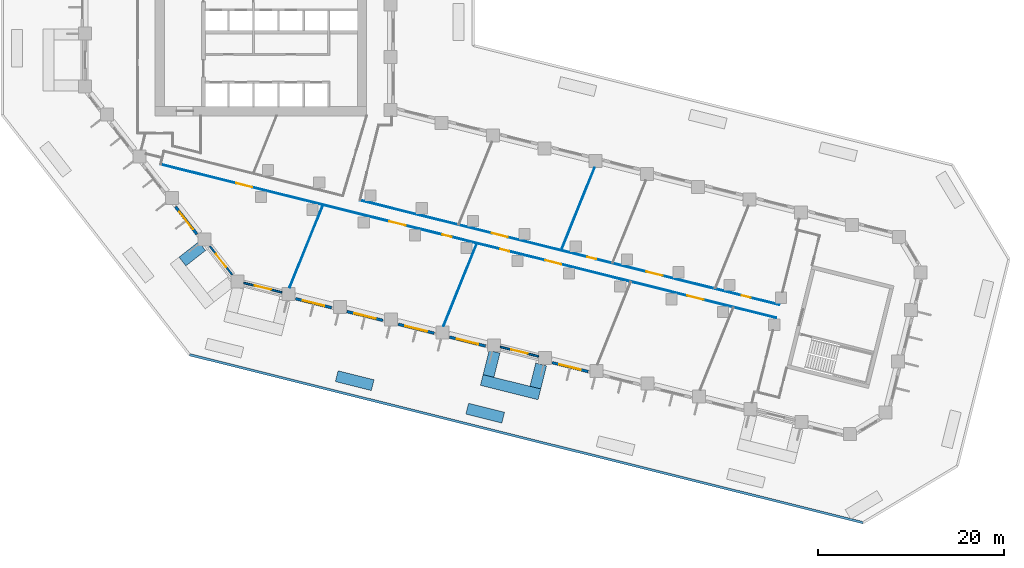
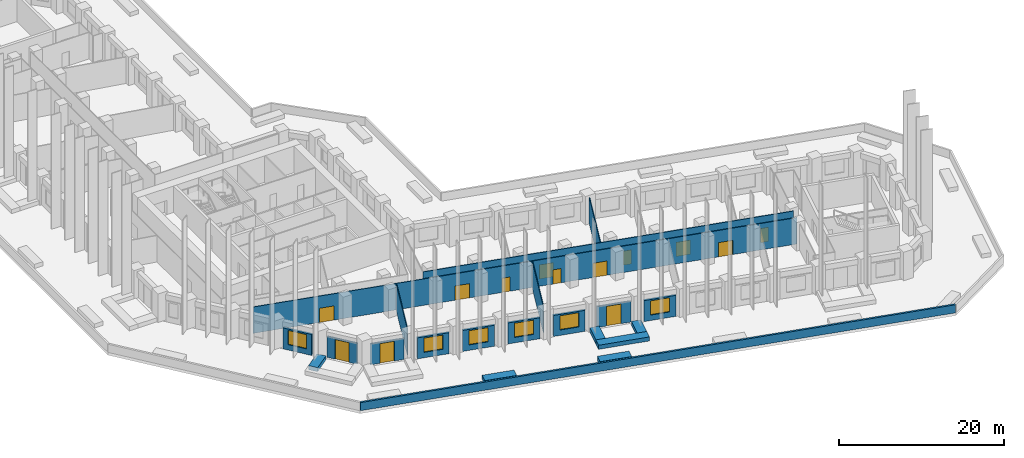
# One storey, part 3 of 13: 21 walls, 13 doors, 6 windows, 19 openings.
"""IFC4 building model written with IfcOpenShell, lengths in metres."""

from ifc_helpers import new_model, si_unit, direction, frame, frame_2d, origin, place, context, subcontext, project, spatial, rectangle, extrude, material, layer, layer_set, type_object, element, fill, save


model = new_model("IFC4")

# Units and contexts
model_context = context("Model", 3, precision=1e-05, world=origin(), true_north=direction((0.0, 1.0)))
body_context = subcontext(model_context, "Body", "Model", "MODEL_VIEW")
ifc_project = project(units=[si_unit("LENGTHUNIT", "METRE"), si_unit("AREAUNIT", "SQUARE_METRE"), si_unit("VOLUMEUNIT", "CUBIC_METRE"), si_unit("PLANEANGLEUNIT", "RADIAN"), si_unit("MASSUNIT", "GRAM", prefix="KILO")], contexts=[model_context])

# Site, building, storey
site_placement = place(None, origin())
site = spatial("IfcSite", under=ifc_project, at=site_placement, CompositionType="ELEMENT")
building_placement = place(site_placement, origin())
building = spatial("IfcBuilding", under=site, at=building_placement, Name="Meshkara Civic Tower", CompositionType="ELEMENT")
storey_placement = place(building_placement, frame((0.0, 0.0, 33.0)))
storey = spatial("IfcBuildingStorey", under=building, at=storey_placement, Name="L06", CompositionType="ELEMENT", Elevation=33.0)

# Wall, openings, doors
ifc_material_1 = material(Name="Corridor wall 100")
ifc_layer_1 = layer(ifc_material_1, 0.10009765625)
ifc_layer_set_1 = layer_set([ifc_layer_1], Name="Corridor wall 100")
wall_type_1 = type_object("IfcWallType", Name="Corridor wall 100", PredefinedType="PARTITIONING", material=ifc_layer_set_1)
wall_1_placement = place(storey_placement, frame((8.593994140625, 8.862060546875, 0.0), z_axis=(0.0, 0.0, 1.0), x_axis=(0.970293746648, -0.241929835316, 0.0)))
wall_1 = element("IfcWall", 1, at=wall_1_placement, inside=storey, type_object=wall_type_1, Name="L06-W006", PredefinedType="PARTITIONING", context=body_context, shape_type="SweptSolid", body=[
    extrude(rectangle(XDim=68.375244140625, YDim=0.10009765625, at=frame_2d((34.1875, 0.0))), origin(), (0.0, 0.0, 1.0), 3.89990234375),
])
opening_1_placement = place(wall_1_placement, frame((37.7080078125, 0.0, 0.0)))
opening_1 = element("IfcOpeningElement", 2, at=opening_1_placement, cuts=wall_1, Name="Opening L06-D003", PredefinedType="OPENING", context=body_context, shape_type="SweptSolid", body=[
    extrude(rectangle(XDim=1.0, YDim=2.10009765625, at=frame_2d((0.5, 1.050048828125))), frame((0.0, 0.06005859375, 0.0), z_axis=(0.0, -1.0, 0.0), x_axis=(1.0, 0.0, 0.0)), (0.0, 0.0, 1.0), 0.1201171875),
])
opening_2_placement = place(wall_1_placement, frame((42.7080078125, 0.0, 0.0)))
opening_2 = element("IfcOpeningElement", 3, at=opening_2_placement, cuts=wall_1, Name="Opening L06-D004", PredefinedType="OPENING", context=body_context, shape_type="SweptSolid", body=[
    extrude(rectangle(XDim=1.800048828125, YDim=2.10009765625, at=frame_2d((0.89990234375, 1.050048828125))), frame((0.0, 0.06005859375, 0.0), z_axis=(0.0, -1.0, 0.0), x_axis=(1.0, 0.0, 0.0)), (0.0, 0.0, 1.0), 0.1201171875),
])
opening_3_placement = place(wall_1_placement, frame((58.508056640625, 0.0, 0.0)))
opening_3 = element("IfcOpeningElement", 4, at=opening_3_placement, cuts=wall_1, Name="Opening L06-D007", PredefinedType="OPENING", context=body_context, shape_type="SweptSolid", body=[
    extrude(rectangle(XDim=1.800048828125, YDim=2.10009765625, at=frame_2d((0.89990234375, 1.050048828125))), frame((0.0, 0.06005859375, 0.0), z_axis=(0.0, -1.0, 0.0), x_axis=(1.0, 0.0, 0.0)), (0.0, 0.0, 1.0), 0.1201171875),
])
opening_4_placement = place(wall_1_placement, frame((25.407958984375, 0.0, 0.0)))
opening_4 = element("IfcOpeningElement", 5, at=opening_4_placement, cuts=wall_1, Name="Opening L06-D010", PredefinedType="OPENING", context=body_context, shape_type="SweptSolid", body=[
    extrude(rectangle(XDim=1.800048828125, YDim=2.10009765625, at=frame_2d((0.89990234375, 1.050048828125))), frame((0.0, 0.06005859375, 0.0), z_axis=(0.0, -1.0, 0.0), x_axis=(1.0, 0.0, 0.0)), (0.0, 0.0, 1.0), 0.1201171875),
])
opening_5_placement = place(wall_1_placement, frame((31.30810546875, 0.0, 0.0)))
opening_5 = element("IfcOpeningElement", 6, at=opening_5_placement, cuts=wall_1, Name="Opening L06-D011", PredefinedType="OPENING", context=body_context, shape_type="SweptSolid", body=[
    extrude(rectangle(XDim=1.0, YDim=2.10009765625, at=frame_2d((0.5, 1.050048828125))), frame((0.0, 0.06005859375, 0.0), z_axis=(0.0, -1.0, 0.0), x_axis=(1.0, 0.0, 0.0)), (0.0, 0.0, 1.0), 0.1201171875),
])
opening_6_placement = place(wall_1_placement, frame((8.3798828125, 0.0, 0.0)))
opening_6 = element("IfcOpeningElement", 7, at=opening_6_placement, cuts=wall_1, Name="Opening L06-D013", PredefinedType="OPENING", context=body_context, shape_type="SweptSolid", body=[
    extrude(rectangle(XDim=1.800048828125, YDim=2.10009765625, at=frame_2d((0.89990234375, 1.050048828125))), frame((0.0, 0.06005859375, 0.0), z_axis=(0.0, -1.0, 0.0), x_axis=(1.0, 0.0, 0.0)), (0.0, 0.0, 1.0), 0.1201171875),
])
ifc_material_2 = material(Name="Door 1000 x 2100")
door_type_1 = type_object("IfcDoorType", Name="Door 1000 x 2100", OperationType="SINGLE_SWING_LEFT", PredefinedType="DOOR", material=ifc_material_2)
door_1_placement = place(opening_1_placement, origin())
door_1 = element("IfcDoor", 8, at=door_1_placement, inside=storey, type_object=door_type_1, Name="L06-D003", OperationType="SINGLE_SWING_RIGHT", OverallHeight=2.10009765625, OverallWidth=1.0, PredefinedType="DOOR", context=body_context, shape_type="SweptSolid", body=[
    extrude(rectangle(XDim=1.0, YDim=2.10009765625, at=frame_2d((0.5, 1.050048828125))), frame((0.0, 0.02490234375, 0.0), z_axis=(0.0, -1.0, 0.0), x_axis=(1.0, 0.0, 0.0)), (0.0, 0.0, 1.0), 0.050048828125),
])
fill(opening_1, door_1)
door_2_placement = place(opening_5_placement, origin())
door_2 = element("IfcDoor", 9, at=door_2_placement, inside=storey, type_object=door_type_1, Name="L06-D011", OperationType="SINGLE_SWING_LEFT", OverallHeight=2.10009765625, OverallWidth=1.0, PredefinedType="DOOR", context=body_context, shape_type="SweptSolid", body=[
    extrude(rectangle(XDim=1.0, YDim=2.10009765625, at=frame_2d((0.5, 1.050048828125))), frame((0.0, 0.02490234375, 0.0), z_axis=(0.0, -1.0, 0.0), x_axis=(1.0, 0.0, 0.0)), (0.0, 0.0, 1.0), 0.050048828125),
])
fill(opening_5, door_2)
ifc_material_3 = material(Name="Door pair 1800 x 2100")
door_type_2 = type_object("IfcDoorType", Name="Door pair 1800 x 2100", OperationType="SINGLE_SWING_LEFT", PredefinedType="DOOR", material=ifc_material_3)
door_3_placement = place(opening_2_placement, origin())
door_3 = element("IfcDoor", 10, at=door_3_placement, inside=storey, type_object=door_type_2, Name="L06-D004", OperationType="DOUBLE_DOOR_SINGLE_SWING", OverallHeight=2.10009765625, OverallWidth=1.800048828125, PredefinedType="DOOR", context=body_context, shape_type="SweptSolid", body=[
    extrude(rectangle(XDim=1.800048828125, YDim=2.10009765625, at=frame_2d((0.89990234375, 1.050048828125))), frame((0.0, 0.02490234375, 0.0), z_axis=(0.0, -1.0, 0.0), x_axis=(1.0, 0.0, 0.0)), (0.0, 0.0, 1.0), 0.050048828125),
])
fill(opening_2, door_3)
door_4_placement = place(opening_3_placement, origin())
door_4 = element("IfcDoor", 11, at=door_4_placement, inside=storey, type_object=door_type_2, Name="L06-D007", OperationType="DOUBLE_DOOR_SINGLE_SWING", OverallHeight=2.10009765625, OverallWidth=1.800048828125, PredefinedType="DOOR", context=body_context, shape_type="SweptSolid", body=[
    extrude(rectangle(XDim=1.800048828125, YDim=2.10009765625, at=frame_2d((0.89990234375, 1.050048828125))), frame((0.0, 0.02490234375, 0.0), z_axis=(0.0, -1.0, 0.0), x_axis=(1.0, 0.0, 0.0)), (0.0, 0.0, 1.0), 0.050048828125),
])
fill(opening_3, door_4)
door_5_placement = place(opening_4_placement, origin())
door_5 = element("IfcDoor", 12, at=door_5_placement, inside=storey, type_object=door_type_2, Name="L06-D010", OperationType="DOUBLE_DOOR_SINGLE_SWING", OverallHeight=2.10009765625, OverallWidth=1.800048828125, PredefinedType="DOOR", context=body_context, shape_type="SweptSolid", body=[
    extrude(rectangle(XDim=1.800048828125, YDim=2.10009765625, at=frame_2d((0.89990234375, 1.050048828125))), frame((0.0, 0.02490234375, 0.0), z_axis=(0.0, -1.0, 0.0), x_axis=(1.0, 0.0, 0.0)), (0.0, 0.0, 1.0), 0.050048828125),
])
fill(opening_4, door_5)
door_6_placement = place(opening_6_placement, origin())
door_6 = element("IfcDoor", 13, at=door_6_placement, inside=storey, type_object=door_type_2, Name="L06-D013", OperationType="DOUBLE_DOOR_SINGLE_SWING", OverallHeight=2.10009765625, OverallWidth=1.800048828125, PredefinedType="DOOR", context=body_context, shape_type="SweptSolid", body=[
    extrude(rectangle(XDim=1.800048828125, YDim=2.10009765625, at=frame_2d((0.89990234375, 1.050048828125))), frame((0.0, 0.02490234375, 0.0), z_axis=(0.0, -1.0, 0.0), x_axis=(1.0, 0.0, 0.0)), (0.0, 0.0, 1.0), 0.050048828125),
])
fill(opening_6, door_6)

wall_2_placement = place(storey_placement, frame((30.075927734375, 4.9951171875, 0.0), z_axis=(0.0, 0.0, 1.0), x_axis=(0.97029302478, -0.24193273045, 0.0)))
wall_2 = element("IfcWall", 14, at=wall_2_placement, inside=storey, type_object=wall_type_1, Name="L06-W020", PredefinedType="PARTITIONING", context=body_context, shape_type="SweptSolid", body=[
    extrude(rectangle(XDim=46.596435546875, YDim=0.10009765625, at=frame_2d((23.29833984375, 0.0))), origin(), (0.0, 0.0, 1.0), 3.89990234375),
])
opening_7_placement = place(wall_2_placement, frame((25.22900390625, 0.0, 0.0)))
opening_7 = element("IfcOpeningElement", 15, at=opening_7_placement, cuts=wall_2, Name="Opening L06-D005", PredefinedType="OPENING", context=body_context, shape_type="SweptSolid", body=[
    extrude(rectangle(XDim=1.0, YDim=2.10009765625, at=frame_2d((0.5, 1.050048828125))), frame((0.0, 0.06005859375, 0.0), z_axis=(0.0, -1.0, 0.0), x_axis=(1.0, 0.0, 0.0)), (0.0, 0.0, 1.0), 0.1201171875),
])
opening_8_placement = place(wall_2_placement, frame((31.827880859375, 0.0, 0.0)))
opening_8 = element("IfcOpeningElement", 16, at=opening_8_placement, cuts=wall_2, Name="Opening L06-D006", PredefinedType="OPENING", context=body_context, shape_type="SweptSolid", body=[
    extrude(rectangle(XDim=1.800048828125, YDim=2.10009765625, at=frame_2d((0.89990234375, 1.050048828125))), frame((0.0, 0.06005859375, 0.0), z_axis=(0.0, -1.0, 0.0), x_axis=(1.0, 0.0, 0.0)), (0.0, 0.0, 1.0), 0.1201171875),
])
opening_9_placement = place(wall_2_placement, frame((42.428955078125, 0.0, 0.0)))
opening_9 = element("IfcOpeningElement", 17, at=opening_9_placement, cuts=wall_2, Name="Opening L06-D008", PredefinedType="OPENING", context=body_context, shape_type="SweptSolid", body=[
    extrude(rectangle(XDim=1.0, YDim=2.10009765625, at=frame_2d((0.5, 1.050048828125))), frame((0.0, 0.06005859375, 0.0), z_axis=(0.0, -1.0, 0.0), x_axis=(1.0, 0.0, 0.0)), (0.0, 0.0, 1.0), 0.1201171875),
])
opening_10_placement = place(wall_2_placement, frame((14.62890625, 0.0, 0.0)))
opening_10 = element("IfcOpeningElement", 18, at=opening_10_placement, cuts=wall_2, Name="Opening L06-D012", PredefinedType="OPENING", context=body_context, shape_type="SweptSolid", body=[
    extrude(rectangle(XDim=1.800048828125, YDim=2.10009765625, at=frame_2d((0.89990234375, 1.050048828125))), frame((0.0, 0.06005859375, 0.0), z_axis=(0.0, -1.0, 0.0), x_axis=(1.0, 0.0, 0.0)), (0.0, 0.0, 1.0), 0.1201171875),
])
door_7_placement = place(opening_7_placement, origin())
door_7 = element("IfcDoor", 19, at=door_7_placement, inside=storey, type_object=door_type_1, Name="L06-D005", OperationType="SINGLE_SWING_RIGHT", OverallHeight=2.10009765625, OverallWidth=1.0, PredefinedType="DOOR", context=body_context, shape_type="SweptSolid", body=[
    extrude(rectangle(XDim=1.0, YDim=2.10009765625, at=frame_2d((0.5, 1.050048828125))), frame((0.0, 0.02490234375, 0.0), z_axis=(0.0, -1.0, 0.0), x_axis=(1.0, 0.0, 0.0)), (0.0, 0.0, 1.0), 0.050048828125),
])
fill(opening_7, door_7)
door_8_placement = place(opening_9_placement, origin())
door_8 = element("IfcDoor", 20, at=door_8_placement, inside=storey, type_object=door_type_1, Name="L06-D008", OperationType="SINGLE_SWING_LEFT", OverallHeight=2.10009765625, OverallWidth=1.0, PredefinedType="DOOR", context=body_context, shape_type="SweptSolid", body=[
    extrude(rectangle(XDim=1.0, YDim=2.10009765625, at=frame_2d((0.5, 1.050048828125))), frame((0.0, 0.02490234375, 0.0), z_axis=(0.0, -1.0, 0.0), x_axis=(1.0, 0.0, 0.0)), (0.0, 0.0, 1.0), 0.050048828125),
])
fill(opening_9, door_8)
door_9_placement = place(opening_8_placement, origin())
door_9 = element("IfcDoor", 21, at=door_9_placement, inside=storey, type_object=door_type_2, Name="L06-D006", OperationType="DOUBLE_DOOR_SINGLE_SWING", OverallHeight=2.10009765625, OverallWidth=1.800048828125, PredefinedType="DOOR", context=body_context, shape_type="SweptSolid", body=[
    extrude(rectangle(XDim=1.800048828125, YDim=2.10009765625, at=frame_2d((0.89990234375, 1.050048828125))), frame((0.0, 0.02490234375, 0.0), z_axis=(0.0, -1.0, 0.0), x_axis=(1.0, 0.0, 0.0)), (0.0, 0.0, 1.0), 0.050048828125),
])
fill(opening_8, door_9)
door_10_placement = place(opening_10_placement, origin())
door_10 = element("IfcDoor", 22, at=door_10_placement, inside=storey, type_object=door_type_2, Name="L06-D012", OperationType="DOUBLE_DOOR_SINGLE_SWING", OverallHeight=2.10009765625, OverallWidth=1.800048828125, PredefinedType="DOOR", context=body_context, shape_type="SweptSolid", body=[
    extrude(rectangle(XDim=1.800048828125, YDim=2.10009765625, at=frame_2d((0.89990234375, 1.050048828125))), frame((0.0, 0.02490234375, 0.0), z_axis=(0.0, -1.0, 0.0), x_axis=(1.0, 0.0, 0.0)), (0.0, 0.0, 1.0), 0.050048828125),
])
fill(opening_10, door_10)

# Wall, opening, window
ifc_material_4 = material(Name="Insulated infill panel with bronze anodised aluminium cladding", Category="aluminium")
ifc_layer_2 = layer(ifc_material_4, 0.300048828125)
ifc_layer_set_2 = layer_set([ifc_layer_2], Name="EXTERNAL INFILL WALL 300")
wall_type_2 = type_object("IfcWallType", Name="EXTERNAL INFILL WALL 300", PredefinedType="SOLIDWALL", material=ifc_layer_set_2)
wall_3_placement = place(storey_placement, frame((10.201904296875, 4.285888671875, 0.0), z_axis=(0.0, 0.0, 1.0), x_axis=(0.615636430057, -0.788030320474, 0.0)))
wall_3 = element("IfcWall", 23, at=wall_3_placement, inside=storey, type_object=wall_type_2, Name="External wall", PredefinedType="SOLIDWALL", context=body_context, shape_type="SweptSolid", body=[
    extrude(rectangle(XDim=3.734375, YDim=0.300048828125, at=frame_2d((1.8671875, 0.0))), origin(), (0.0, 0.0, 1.0), 3.10009765625),
])
opening_11_placement = place(wall_3_placement, frame((0.6669921875, 0.0, 0.800048828125)))
opening_11 = element("IfcOpeningElement", 24, at=opening_11_placement, cuts=wall_3, Name="Opening W7", PredefinedType="OPENING", context=body_context, shape_type="SweptSolid", body=[
    extrude(rectangle(XDim=2.39990234375, YDim=2.10009765625, at=frame_2d((1.199951171875, 1.050048828125))), frame((0.0, 0.159912109375, 0.0), z_axis=(0.0, -1.0, 0.0), x_axis=(1.0, 0.0, 0.0)), (0.0, 0.0, 1.0), 0.320068359375),
])
ifc_material_5 = material(Name="Tinted double glazing", Category="glass")
window_type = type_object("IfcWindowType", Name="WINDOW 2400x2100", PartitioningType="DOUBLE_PANEL_VERTICAL", PredefinedType="WINDOW", material=ifc_material_5)
window_1_placement = place(opening_11_placement, origin())
window_1 = element("IfcWindow", 25, at=window_1_placement, inside=storey, type_object=window_type, Name="Window", OverallHeight=2.10009765625, OverallWidth=2.39990234375, PartitioningType="DOUBLE_PANEL_VERTICAL", PredefinedType="WINDOW", context=body_context, shape_type="SweptSolid", body=[
    extrude(rectangle(XDim=2.39990234375, YDim=2.10009765625, at=frame_2d((1.199951171875, 1.050048828125))), frame((0.0, 0.030029296875, 0.0), z_axis=(0.0, -1.0, 0.0), x_axis=(1.0, 0.0, 0.0)), (0.0, 0.0, 1.0), 0.06005859375),
])
fill(opening_11, window_1)

wall_4_placement = place(storey_placement, frame((23.133056640625, -5.613037109375, 0.0), z_axis=(0.0, 0.0, 1.0), x_axis=(0.970303772127, -0.241889623168, 0.0)))
wall_4 = element("IfcWall", 26, at=wall_4_placement, inside=storey, type_object=wall_type_2, Name="External wall", PredefinedType="SOLIDWALL", context=body_context, shape_type="SweptSolid", body=[
    extrude(rectangle(XDim=4.001953125, YDim=0.300048828125, at=frame_2d((2.0009765625, 0.0))), origin(), (0.0, 0.0, 1.0), 3.10009765625),
])
opening_12_placement = place(wall_4_placement, frame((0.801025390625, 0.0, 0.800048828125)))
opening_12 = element("IfcOpeningElement", 27, at=opening_12_placement, cuts=wall_4, Name="Opening W7", PredefinedType="OPENING", context=body_context, shape_type="SweptSolid", body=[
    extrude(rectangle(XDim=2.39990234375, YDim=2.10009765625, at=frame_2d((1.199951171875, 1.050048828125))), frame((0.0, 0.159912109375, 0.0), z_axis=(0.0, -1.0, 0.0), x_axis=(1.0, 0.0, 0.0)), (0.0, 0.0, 1.0), 0.320068359375),
])
window_2_placement = place(opening_12_placement, origin())
window_2 = element("IfcWindow", 28, at=window_2_placement, inside=storey, type_object=window_type, Name="Window", OverallHeight=2.10009765625, OverallWidth=2.39990234375, PartitioningType="DOUBLE_PANEL_VERTICAL", PredefinedType="WINDOW", context=body_context, shape_type="SweptSolid", body=[
    extrude(rectangle(XDim=2.39990234375, YDim=2.10009765625, at=frame_2d((1.199951171875, 1.050048828125))), frame((0.0, 0.030029296875, 0.0), z_axis=(0.0, -1.0, 0.0), x_axis=(1.0, 0.0, 0.0)), (0.0, 0.0, 1.0), 0.06005859375),
])
fill(opening_12, window_2)

wall_5_placement = place(storey_placement, frame((28.6630859375, -6.991943359375, 0.0), z_axis=(0.0, 0.0, 1.0), x_axis=(0.970318045095, -0.24183236211, 0.0)))
wall_5 = element("IfcWall", 29, at=wall_5_placement, inside=storey, type_object=wall_type_2, Name="External wall", PredefinedType="SOLIDWALL", context=body_context, shape_type="SweptSolid", body=[
    extrude(rectangle(XDim=4.0029296875, YDim=0.300048828125, at=frame_2d((2.00146484375, 0.0))), origin(), (0.0, 0.0, 1.0), 3.10009765625),
])
opening_13_placement = place(wall_5_placement, frame((0.802001953125, 0.0, 0.800048828125)))
opening_13 = element("IfcOpeningElement", 30, at=opening_13_placement, cuts=wall_5, Name="Opening W7", PredefinedType="OPENING", context=body_context, shape_type="SweptSolid", body=[
    extrude(rectangle(XDim=2.39990234375, YDim=2.10009765625, at=frame_2d((1.199951171875, 1.050048828125))), frame((0.0, 0.159912109375, 0.0), z_axis=(0.0, -1.0, 0.0), x_axis=(1.0, 0.0, 0.0)), (0.0, 0.0, 1.0), 0.320068359375),
])
window_3_placement = place(opening_13_placement, origin())
window_3 = element("IfcWindow", 31, at=window_3_placement, inside=storey, type_object=window_type, Name="Window", OverallHeight=2.10009765625, OverallWidth=2.39990234375, PartitioningType="DOUBLE_PANEL_VERTICAL", PredefinedType="WINDOW", context=body_context, shape_type="SweptSolid", body=[
    extrude(rectangle(XDim=2.39990234375, YDim=2.10009765625, at=frame_2d((1.199951171875, 1.050048828125))), frame((0.0, 0.030029296875, 0.0), z_axis=(0.0, -1.0, 0.0), x_axis=(1.0, 0.0, 0.0)), (0.0, 0.0, 1.0), 0.06005859375),
])
fill(opening_13, window_3)

wall_6_placement = place(storey_placement, frame((34.194091796875, -8.37109375, 0.0), z_axis=(0.0, 0.0, 1.0), x_axis=(0.970314477803, -0.241846674911, 0.0)))
wall_6 = element("IfcWall", 32, at=wall_6_placement, inside=storey, type_object=wall_type_2, Name="External wall", PredefinedType="SOLIDWALL", context=body_context, shape_type="SweptSolid", body=[
    extrude(rectangle(XDim=4.002685546875, YDim=0.300048828125, at=frame_2d((2.00146484375, 0.0))), origin(), (0.0, 0.0, 1.0), 3.10009765625),
])
opening_14_placement = place(wall_6_placement, frame((0.802001953125, 0.0, 0.800048828125)))
opening_14 = element("IfcOpeningElement", 33, at=opening_14_placement, cuts=wall_6, Name="Opening W7", PredefinedType="OPENING", context=body_context, shape_type="SweptSolid", body=[
    extrude(rectangle(XDim=2.39990234375, YDim=2.10009765625, at=frame_2d((1.199951171875, 1.050048828125))), frame((0.0, 0.159912109375, 0.0), z_axis=(0.0, -1.0, 0.0), x_axis=(1.0, 0.0, 0.0)), (0.0, 0.0, 1.0), 0.320068359375),
])
window_4_placement = place(opening_14_placement, origin())
window_4 = element("IfcWindow", 34, at=window_4_placement, inside=storey, type_object=window_type, Name="Window", OverallHeight=2.10009765625, OverallWidth=2.39990234375, PartitioningType="DOUBLE_PANEL_VERTICAL", PredefinedType="WINDOW", context=body_context, shape_type="SweptSolid", body=[
    extrude(rectangle(XDim=2.39990234375, YDim=2.10009765625, at=frame_2d((1.199951171875, 1.050048828125))), frame((0.0, 0.030029296875, 0.0), z_axis=(0.0, -1.0, 0.0), x_axis=(1.0, 0.0, 0.0)), (0.0, 0.0, 1.0), 0.06005859375),
])
fill(opening_14, window_4)

wall_7_placement = place(storey_placement, frame((39.72509765625, -9.75, 0.0), z_axis=(0.0, 0.0, 1.0), x_axis=(0.970314477803, -0.241846674911, 0.0)))
wall_7 = element("IfcWall", 35, at=wall_7_placement, inside=storey, type_object=wall_type_2, Name="External wall", PredefinedType="SOLIDWALL", context=body_context, shape_type="SweptSolid", body=[
    extrude(rectangle(XDim=4.002685546875, YDim=0.300048828125, at=frame_2d((2.00146484375, 0.0))), origin(), (0.0, 0.0, 1.0), 3.10009765625),
])
opening_15_placement = place(wall_7_placement, frame((0.801025390625, 0.0, 0.800048828125)))
opening_15 = element("IfcOpeningElement", 36, at=opening_15_placement, cuts=wall_7, Name="Opening W7", PredefinedType="OPENING", context=body_context, shape_type="SweptSolid", body=[
    extrude(rectangle(XDim=2.39990234375, YDim=2.10009765625, at=frame_2d((1.199951171875, 1.050048828125))), frame((0.0, 0.159912109375, 0.0), z_axis=(0.0, -1.0, 0.0), x_axis=(1.0, 0.0, 0.0)), (0.0, 0.0, 1.0), 0.320068359375),
])
window_5_placement = place(opening_15_placement, origin())
window_5 = element("IfcWindow", 37, at=window_5_placement, inside=storey, type_object=window_type, Name="Window", OverallHeight=2.10009765625, OverallWidth=2.39990234375, PartitioningType="DOUBLE_PANEL_VERTICAL", PredefinedType="WINDOW", context=body_context, shape_type="SweptSolid", body=[
    extrude(rectangle(XDim=2.39990234375, YDim=2.10009765625, at=frame_2d((1.199951171875, 1.050048828125))), frame((0.0, 0.030029296875, 0.0), z_axis=(0.0, -1.0, 0.0), x_axis=(1.0, 0.0, 0.0)), (0.0, 0.0, 1.0), 0.06005859375),
])
fill(opening_15, window_5)

wall_8_placement = place(storey_placement, frame((50.785888671875, -12.508056640625, 0.0), z_axis=(0.0, 0.0, 1.0), x_axis=(0.970318045095, -0.24183236211, 0.0)))
wall_8 = element("IfcWall", 38, at=wall_8_placement, inside=storey, type_object=wall_type_2, Name="External wall", PredefinedType="SOLIDWALL", context=body_context, shape_type="SweptSolid", body=[
    extrude(rectangle(XDim=4.0029296875, YDim=0.300048828125, at=frame_2d((2.00146484375, 0.0))), origin(), (0.0, 0.0, 1.0), 3.10009765625),
])
opening_16_placement = place(wall_8_placement, frame((0.802001953125, 0.0, 0.800048828125)))
opening_16 = element("IfcOpeningElement", 39, at=opening_16_placement, cuts=wall_8, Name="Opening W7", PredefinedType="OPENING", context=body_context, shape_type="SweptSolid", body=[
    extrude(rectangle(XDim=2.39990234375, YDim=2.10009765625, at=frame_2d((1.199951171875, 1.050048828125))), frame((0.0, 0.159912109375, 0.0), z_axis=(0.0, -1.0, 0.0), x_axis=(1.0, 0.0, 0.0)), (0.0, 0.0, 1.0), 0.320068359375),
])
window_6_placement = place(opening_16_placement, origin())
window_6 = element("IfcWindow", 40, at=window_6_placement, inside=storey, type_object=window_type, Name="Window", OverallHeight=2.10009765625, OverallWidth=2.39990234375, PartitioningType="DOUBLE_PANEL_VERTICAL", PredefinedType="WINDOW", context=body_context, shape_type="SweptSolid", body=[
    extrude(rectangle(XDim=2.39990234375, YDim=2.10009765625, at=frame_2d((1.199951171875, 1.050048828125))), frame((0.0, 0.030029296875, 0.0), z_axis=(0.0, -1.0, 0.0), x_axis=(1.0, 0.0, 0.0)), (0.0, 0.0, 1.0), 0.06005859375),
])
fill(opening_16, window_6)

# Wall, opening, door
ifc_material_6 = material(Name="Insulated infill panel with bronze anodised aluminium cladding", Category="aluminium")
ifc_layer_3 = layer(ifc_material_6, 0.199951171875)
ifc_layer_set_3 = layer_set([ifc_layer_3], Name="LOGGIA BACK WALL 200")
wall_type_3 = type_object("IfcWallType", Name="LOGGIA BACK WALL 200", PredefinedType="SOLIDWALL", material=ifc_layer_set_3)
wall_9_placement = place(storey_placement, frame((13.888916015625, 0.053955078125, 0.0), z_axis=(0.0, 0.0, 1.0), x_axis=(0.615546225508, -0.788100783062, 0.0)))
wall_9 = element("IfcWall", 41, at=wall_9_placement, inside=storey, type_object=wall_type_3, Name="Loggia wall", PredefinedType="SOLIDWALL", context=body_context, shape_type="SweptSolid", body=[
    extrude(rectangle(XDim=3.92333984375, YDim=0.199951171875, at=frame_2d((1.961669921875, 0.0))), origin(), (0.0, 0.0, 1.0), 3.10009765625),
])
opening_17_placement = place(wall_9_placement, frame((1.06103515625, 0.0, 0.0)))
opening_17 = element("IfcOpeningElement", 42, at=opening_17_placement, cuts=wall_9, Name="Opening L06-L003", PredefinedType="OPENING", context=body_context, shape_type="SweptSolid", body=[
    extrude(rectangle(XDim=1.800048828125, YDim=2.89990234375, at=frame_2d((0.89990234375, 1.449951171875))), frame((0.0, 0.10986328125, 0.0), z_axis=(0.0, -1.0, 0.0), x_axis=(1.0, 0.0, 0.0)), (0.0, 0.0, 1.0), 0.219970703125),
])
ifc_material_7 = material(Name="Tinted double glazing", Category="glass")
door_type_3 = type_object("IfcDoorType", Name="LOGGIA DOOR 1800x2900", OperationType="DOUBLE_DOOR_SINGLE_SWING", PredefinedType="DOOR", material=ifc_material_7)
door_11_placement = place(opening_17_placement, origin())
door_11 = element("IfcDoor", 43, at=door_11_placement, inside=storey, type_object=door_type_3, Name="L06-L003", OperationType="DOUBLE_DOOR_SINGLE_SWING", OverallHeight=2.89990234375, OverallWidth=1.800048828125, PredefinedType="DOOR", context=body_context, shape_type="SweptSolid", body=[
    extrude(rectangle(XDim=1.800048828125, YDim=2.89990234375, at=frame_2d((0.89990234375, 1.449951171875))), frame((0.0, 0.02490234375, 0.0), z_axis=(0.0, -1.0, 0.0), x_axis=(1.0, 0.0, 0.0)), (0.0, 0.0, 1.0), 0.050048828125),
])
fill(opening_17, door_11)

wall_10_placement = place(storey_placement, frame((17.551025390625, -3.912109375, 0.0), z_axis=(0.0, 0.0, 1.0), x_axis=(0.970304203713, -0.241887891919, 0.0)))
wall_10 = element("IfcWall", 44, at=wall_10_placement, inside=storey, type_object=wall_type_3, Name="Loggia wall", PredefinedType="SOLIDWALL", context=body_context, shape_type="SweptSolid", body=[
    extrude(rectangle(XDim=4.25732421875, YDim=0.199951171875, at=frame_2d((2.128662109375, 0.0))), origin(), (0.0, 0.0, 1.0), 3.10009765625),
])
opening_18_placement = place(wall_10_placement, frame((1.22802734375, 0.0, 0.0)))
opening_18 = element("IfcOpeningElement", 45, at=opening_18_placement, cuts=wall_10, Name="Opening L06-L004", PredefinedType="OPENING", context=body_context, shape_type="SweptSolid", body=[
    extrude(rectangle(XDim=1.800048828125, YDim=2.89990234375, at=frame_2d((0.89990234375, 1.449951171875))), frame((0.0, 0.10986328125, 0.0), z_axis=(0.0, -1.0, 0.0), x_axis=(1.0, 0.0, 0.0)), (0.0, 0.0, 1.0), 0.219970703125),
])
door_12_placement = place(opening_18_placement, origin())
door_12 = element("IfcDoor", 46, at=door_12_placement, inside=storey, type_object=door_type_3, Name="L06-L004", OperationType="DOUBLE_DOOR_SINGLE_SWING", OverallHeight=2.89990234375, OverallWidth=1.800048828125, PredefinedType="DOOR", context=body_context, shape_type="SweptSolid", body=[
    extrude(rectangle(XDim=1.800048828125, YDim=2.89990234375, at=frame_2d((0.89990234375, 1.449951171875))), frame((0.0, 0.02490234375, 0.0), z_axis=(0.0, -1.0, 0.0), x_axis=(1.0, 0.0, 0.0)), (0.0, 0.0, 1.0), 0.050048828125),
])
fill(opening_18, door_12)

wall_11_placement = place(storey_placement, frame((45.205078125, -10.806884765625, 0.0), z_axis=(0.0, 0.0, 1.0), x_axis=(0.970277311249, -0.241995742265, 0.0)))
wall_11 = element("IfcWall", 47, at=wall_11_placement, inside=storey, type_object=wall_type_3, Name="Loggia wall", PredefinedType="SOLIDWALL", context=body_context, shape_type="SweptSolid", body=[
    extrude(rectangle(XDim=4.25634765625, YDim=0.199951171875, at=frame_2d((2.128173828125, 0.0))), origin(), (0.0, 0.0, 1.0), 3.10009765625),
])
opening_19_placement = place(wall_11_placement, frame((1.22802734375, 0.0, 0.0)))
opening_19 = element("IfcOpeningElement", 48, at=opening_19_placement, cuts=wall_11, Name="Opening L06-L005", PredefinedType="OPENING", context=body_context, shape_type="SweptSolid", body=[
    extrude(rectangle(XDim=1.800048828125, YDim=2.89990234375, at=frame_2d((0.89990234375, 1.449951171875))), frame((0.0, 0.10986328125, 0.0), z_axis=(0.0, -1.0, 0.0), x_axis=(1.0, 0.0, 0.0)), (0.0, 0.0, 1.0), 0.219970703125),
])
door_13_placement = place(opening_19_placement, origin())
door_13 = element("IfcDoor", 49, at=door_13_placement, inside=storey, type_object=door_type_3, Name="L06-L005", OperationType="DOUBLE_DOOR_SINGLE_SWING", OverallHeight=2.89990234375, OverallWidth=1.800048828125, PredefinedType="DOOR", context=body_context, shape_type="SweptSolid", body=[
    extrude(rectangle(XDim=1.800048828125, YDim=2.89990234375, at=frame_2d((0.89990234375, 1.449951171875))), frame((0.0, 0.02490234375, 0.0), z_axis=(0.0, -1.0, 0.0), x_axis=(1.0, 0.0, 0.0)), (0.0, 0.0, 1.0), 0.050048828125),
])
fill(opening_19, door_13)

# Walls
ifc_material_8 = material(Name="Concrete C40", Category="concrete")
ifc_layer_4 = layer(ifc_material_8, 1.199951171875)
ifc_layer_set_4 = layer_set([ifc_layer_4], Name="PLANTING BED")
wall_type_4 = type_object("IfcWallType", Name="PLANTING BED", PredefinedType="SOLIDWALL", material=ifc_layer_set_4)
for number, where, z_axis, x_axis, name in (
    (50, (45.510986328125, -18.43798828125, 0.0), (0.0, 0.0, 1.0), (-0.970275195755, 0.242004224141, 0.0), "Planting bed"),
    (51, (31.455078125, -14.93408203125, 0.0), (0.0, 0.0, 1.0), (-0.970275195755, 0.242004224141, 0.0), "Planting bed"),
):
    element("IfcWall", number, at=place(storey_placement, frame(where, z_axis=z_axis, x_axis=x_axis)), inside=storey, type_object=wall_type_4, Name=name, PredefinedType="SOLIDWALL", context=body_context, shape_type="SweptSolid", body=[
        extrude(rectangle(XDim=4.0, YDim=1.199951171875, at=frame_2d((2.0, 0.0))), origin(), (0.0, 0.0, 1.0), 0.60009765625),
    ])
wall_12_placement = place(storey_placement, frame((13.06689453125, 0.053955078125, 0.0), z_axis=(0.0, 0.0, 1.0), x_axis=(-0.78787093138, -0.615840397739, 0.0)))
element("IfcWall", 52, at=wall_12_placement, inside=storey, type_object=wall_type_4, Name="Planting bed", PredefinedType="SOLIDWALL", context=body_context, shape_type="SweptSolid", body=[
    extrude(rectangle(XDim=2.7021484375, YDim=1.199951171875, at=frame_2d((1.35107421875, 0.0))), origin(), (0.0, 0.0, 1.0), 0.60009765625),
])
wall_13_placement = place(storey_placement, frame((43.2080078125, -14.3798828125, 0.0), z_axis=(0.0, 0.0, 1.0), x_axis=(0.970285894131, -0.241961326767, 0.0)))
element("IfcWall", 53, at=wall_13_placement, inside=storey, type_object=wall_type_4, Name="Planting bed", PredefinedType="SOLIDWALL", context=body_context, shape_type="SweptSolid", body=[
    extrude(rectangle(XDim=6.402099609375, YDim=1.199951171875, at=frame_2d((3.201171875, 0.0))), origin(), (0.0, 0.0, 1.0), 0.60009765625),
])
wall_14_placement = place(storey_placement, frame((44.5869140625, -11.33203125, 0.0), z_axis=(0.0, 0.0, 1.0), x_axis=(-0.241873807168, -0.970307714803, 0.0)))
element("IfcWall", 54, at=wall_14_placement, inside=storey, type_object=wall_type_4, Name="Planting bed", PredefinedType="SOLIDWALL", context=body_context, shape_type="SweptSolid", body=[
    extrude(rectangle(XDim=2.69091796875, YDim=1.199951171875, at=frame_2d((1.345458984375, 0.0))), origin(), (0.0, 0.0, 1.0), 0.60009765625),
])
wall_15_placement = place(storey_placement, frame((49.60400390625, -12.7109375, 0.0), z_axis=(0.0, 0.0, 1.0), x_axis=(-0.24193142074, -0.970293351342, 0.0)))
element("IfcWall", 55, at=wall_15_placement, inside=storey, type_object=wall_type_4, Name="Planting bed", PredefinedType="SOLIDWALL", context=body_context, shape_type="SweptSolid", body=[
    extrude(rectangle(XDim=2.567138671875, YDim=1.199951171875, at=frame_2d((1.28369140625, 0.0))), origin(), (0.0, 0.0, 1.0), 0.60009765625),
])
ifc_material_9 = material(Name="Partition 100")
ifc_layer_5 = layer(ifc_material_9, 0.10009765625)
ifc_layer_set_5 = layer_set([ifc_layer_5], Name="Partition 100")
wall_type_5 = type_object("IfcWallType", Name="Partition 100", PredefinedType="PARTITIONING", material=ifc_layer_set_5)
for number, where, z_axis, x_axis, name in (
    (56, (22.492919921875, -4.4169921875, 0.0), (0.0, 0.0, 1.0), (0.374480366096, 0.92723484372, 0.0), "L06-W047"),
    (57, (39.0849609375, -8.553955078125, 0.0), (0.0, 0.0, 1.0), (0.374480366096, 0.92723484372, 0.0), "L06-W048"),
    (58, (51.782958984375, -0.35888671875, 0.0), (0.0, 0.0, 1.0), (0.374577080992, 0.927195777814, 0.0), "L06-W050"),
):
    element("IfcWall", number, at=place(storey_placement, frame(where, z_axis=z_axis, x_axis=x_axis)), inside=storey, type_object=wall_type_5, Name=name, PredefinedType="PARTITIONING", context=body_context, shape_type="SweptSolid", body=[
        extrude(rectangle(XDim=9.5576171875, YDim=0.10009765625, at=frame_2d((4.77880859375, 0.0))), origin(), (0.0, 0.0, 1.0), 3.89990234375),
    ])
ifc_material_10 = material(Name="Concrete C40", Category="concrete")
ifc_layer_6 = layer(ifc_material_10, 0.25)
ifc_layer_set_6 = layer_set([ifc_layer_6], Name="ROOF PARAPET 250")
wall_type_6 = type_object("IfcWallType", Name="ROOF PARAPET 250", PredefinedType="PARAPET", material=ifc_layer_set_6)
wall_16_placement = place(storey_placement, frame((84.31689453125, -29.761962890625, 0.0), z_axis=(0.0, 0.0, 1.0), x_axis=(-0.970297749032, 0.241913782626, 0.0)))
element("IfcWall", 59, at=wall_16_placement, inside=storey, type_object=wall_type_6, Name="Roof parapet", PredefinedType="PARAPET", context=body_context, shape_type="SweptSolid", body=[
    extrude(rectangle(XDim=74.83251953125, YDim=0.25, at=frame_2d((37.416259765625, 0.0))), origin(), (0.0, 0.0, 1.0), 1.199951171875),
])

save(model, "model.ifc")
